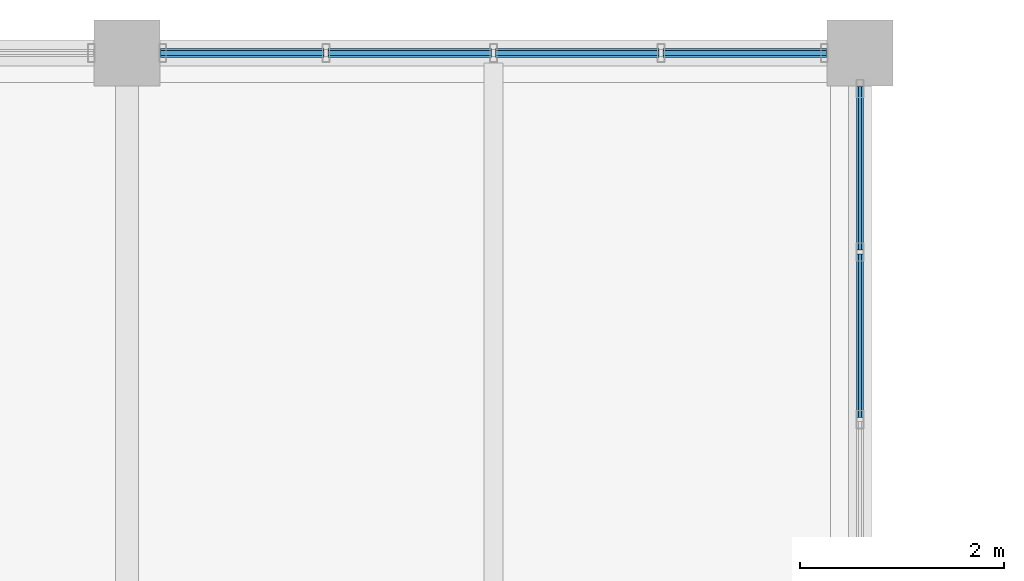
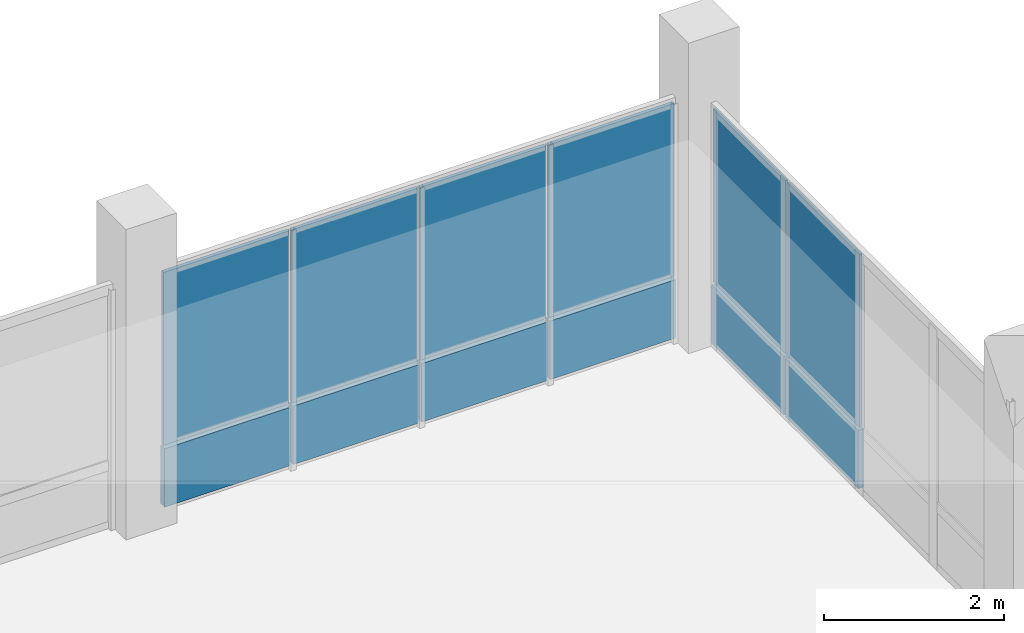
# One storey, part 97 of 144: 12 plates, 2 elements without a shape of their own.
"""IFC4 building model written with IfcOpenShell, lengths in metres."""

from ifc_helpers import new_model, si_unit, direction, frame, origin, origin_2d, place, context, subcontext, project, spatial, rectangle, extrude, material, layer, layer_set, type_object, element, aggregate, save


model = new_model("IFC4")

# Units and contexts
model_context = context("Model", 3, precision=1e-05, world=origin(), true_north=direction((0.0, 1.0)))
body_context = subcontext(model_context, "Body", "Model", "MODEL_VIEW")
ifc_project = project(units=[si_unit("LENGTHUNIT", "METRE"), si_unit("AREAUNIT", "SQUARE_METRE"), si_unit("VOLUMEUNIT", "CUBIC_METRE"), si_unit("PLANEANGLEUNIT", "RADIAN"), si_unit("MASSUNIT", "GRAM", prefix="KILO")], contexts=[model_context])

# Site, building, storey
site_placement = place(None, origin())
site = spatial("IfcSite", under=ifc_project, at=site_placement, CompositionType="ELEMENT")
building_placement = place(site_placement, origin())
building = spatial("IfcBuilding", under=site, at=building_placement, Name="Yarey Park Central Fire Station", CompositionType="ELEMENT")
storey_placement = place(building_placement, frame((0.0, 0.0, 10.199951171875)))
storey = spatial("IfcBuildingStorey", under=building, at=storey_placement, Name="L03", CompositionType="ELEMENT", Elevation=10.199951171875)

# Curtain wall, plates
ifc_material_1 = material(Name="Anodized Aluminium Frame", Category="aluminium")
curtain_wall_type = type_object("IfcCurtainWallType", Name="ENV_CW_HQ_L03", PredefinedType="NOTDEFINED", material=ifc_material_1)
curtain_wall_1_placement = place(storey_placement, origin())
curtain_wall_1 = element("IfcCurtainWall", 1, at=curtain_wall_1_placement, inside=storey, type_object=curtain_wall_type, Name="CW_L03_V4_E_108", PredefinedType="NOTDEFINED")
ifc_material_2 = material(Name="Insulated Aluminium Spandrel Panel", Category="aluminium")
ifc_layer_1 = layer(ifc_material_2, 0.068115234375)
ifc_layer_set_1 = layer_set([ifc_layer_1], Name="Insulated Aluminium Spandrel Panel")
plate_type_1 = type_object("IfcPlateType", Name="ENV_PNL_SPN_02", PredefinedType="CURTAIN_PANEL", material=ifc_layer_set_1)
plate_1_placement = place(storey_placement, frame((158.39990234375, 112.422607421875, 0.04248046875), z_axis=(0.0, 0.0, 1.0), x_axis=(0.0, 1.0, 0.0)))
plate_1 = element("IfcPlate", 2, at=plate_1_placement, type_object=plate_type_1, Name="CW_L03_V4_E_108_PNL05", PredefinedType="CURTAIN_PANEL", context=body_context, shape_type="SweptSolid", body=[
    extrude(rectangle(XDim=1.60498046875, YDim=0.068115234375, at=origin_2d()), origin(), (0.0, 0.0, 1.0), 0.7900390625),
])
plate_2_placement = place(storey_placement, frame((158.39990234375, 114.0673828125, 0.04248046875), z_axis=(0.0, 0.0, 1.0), x_axis=(0.0, 1.0, 0.0)))
plate_2 = element("IfcPlate", 3, at=plate_2_placement, type_object=plate_type_1, Name="CW_L03_V4_E_108_PNL07", PredefinedType="CURTAIN_PANEL", context=body_context, shape_type="SweptSolid", body=[
    extrude(rectangle(XDim=1.60498046875, YDim=0.068115234375, at=origin_2d()), origin(), (0.0, 0.0, 1.0), 0.7900390625),
])

curtain_wall_2_placement = place(storey_placement, origin())
curtain_wall_2 = element("IfcCurtainWall", 4, at=curtain_wall_2_placement, inside=storey, type_object=curtain_wall_type, Name="CW_L03_V4_N_6", PredefinedType="NOTDEFINED")
ifc_layer_2 = layer(ifc_material_2, 0.087890625)
ifc_layer_set_2 = layer_set([ifc_layer_2], Name="Insulated Aluminium Spandrel Panel")
plate_type_2 = type_object("IfcPlateType", Name="ENV_PNL_SPN_04", PredefinedType="CURTAIN_PANEL", material=ifc_layer_set_2)
plate_3_placement = place(storey_placement, frame((157.267578125, 115.199951171875, 0.04248046875), z_axis=(0.0, 0.0, 1.0), x_axis=(-1.0, 0.0, 0.0)))
plate_3 = element("IfcPlate", 5, at=plate_3_placement, type_object=plate_type_2, Name="CW_L03_V4_N_6_PNL01", PredefinedType="CURTAIN_PANEL", context=body_context, shape_type="SweptSolid", body=[
    extrude(rectangle(XDim=1.60498046875, YDim=0.087890625, at=origin_2d()), origin(), (0.0, 0.0, 1.0), 0.7900390625),
])
plate_4_placement = place(storey_placement, frame((155.62255859375, 115.199951171875, 0.04248046875), z_axis=(0.0, 0.0, 1.0), x_axis=(-1.0, 0.0, 0.0)))
plate_4 = element("IfcPlate", 6, at=plate_4_placement, type_object=plate_type_2, Name="CW_L03_V4_N_6_PNL03", PredefinedType="CURTAIN_PANEL", context=body_context, shape_type="SweptSolid", body=[
    extrude(rectangle(XDim=1.60498046875, YDim=0.087890625, at=origin_2d()), origin(), (0.0, 0.0, 1.0), 0.7900390625),
])
plate_5_placement = place(storey_placement, frame((153.9775390625, 115.199951171875, 0.04248046875), z_axis=(0.0, 0.0, 1.0), x_axis=(-1.0, 0.0, 0.0)))
plate_5 = element("IfcPlate", 7, at=plate_5_placement, type_object=plate_type_2, Name="CW_L03_V4_N_6_PNL05", PredefinedType="CURTAIN_PANEL", context=body_context, shape_type="SweptSolid", body=[
    extrude(rectangle(XDim=1.60498046875, YDim=0.087890625, at=origin_2d()), origin(), (0.0, 0.0, 1.0), 0.7900390625),
])
plate_6_placement = place(storey_placement, frame((152.33251953125, 115.199951171875, 0.04248046875), z_axis=(0.0, 0.0, 1.0), x_axis=(-1.0, 0.0, 0.0)))
plate_6 = element("IfcPlate", 8, at=plate_6_placement, type_object=plate_type_2, Name="CW_L03_V4_N_6_PNL07", PredefinedType="CURTAIN_PANEL", context=body_context, shape_type="SweptSolid", body=[
    extrude(rectangle(XDim=1.60498046875, YDim=0.087890625, at=origin_2d()), origin(), (0.0, 0.0, 1.0), 0.7900390625),
])

# Plate
ifc_material_3 = material(Name="Laminated Hurricane Low-E Glass", Category="glass")
ifc_layer_3 = layer(ifc_material_3, 0.031982421875)
ifc_layer_set_3 = layer_set([ifc_layer_3], Name="Laminated Hurricane Low-E Glass")
plate_type_3 = type_object("IfcPlateType", Name="ENV_PNL_VIS_02", PredefinedType="CURTAIN_PANEL", material=ifc_layer_set_3)
plate_7_placement = place(storey_placement, frame((158.39990234375, 112.422607421875, 0.86767578125), z_axis=(0.0, 0.0, 1.0), x_axis=(0.0, 1.0, 0.0)))
plate_7 = element("IfcPlate", 9, at=plate_7_placement, type_object=plate_type_3, Name="CW_L03_V4_E_108_PNL06", PredefinedType="CURTAIN_PANEL", context=body_context, shape_type="SweptSolid", body=[
    extrude(rectangle(XDim=1.60498046875, YDim=0.031982421875, at=origin_2d()), origin(), (0.0, 0.0, 1.0), 2.340087890625),
])

plate_8_placement = place(storey_placement, frame((158.39990234375, 114.0673828125, 0.86767578125), z_axis=(0.0, 0.0, 1.0), x_axis=(0.0, 1.0, 0.0)))
plate_8 = element("IfcPlate", 10, at=plate_8_placement, type_object=plate_type_3, Name="CW_L03_V4_E_108_PNL08", PredefinedType="CURTAIN_PANEL", context=body_context, shape_type="SweptSolid", body=[
    extrude(rectangle(XDim=1.60498046875, YDim=0.031982421875, at=origin_2d()), origin(), (0.0, 0.0, 1.0), 2.340087890625),
])

aggregate(curtain_wall_1, [plate_1, plate_7, plate_2, plate_8])

ifc_layer_4 = layer(ifc_material_3, 0.0458984375)
ifc_layer_set_4 = layer_set([ifc_layer_4], Name="Laminated Hurricane Low-E Glass")
plate_type_4 = type_object("IfcPlateType", Name="ENV_PNL_VIS_04", PredefinedType="CURTAIN_PANEL", material=ifc_layer_set_4)
plate_9_placement = place(storey_placement, frame((157.267578125, 115.199951171875, 0.86767578125), z_axis=(0.0, 0.0, 1.0), x_axis=(-1.0, 0.0, 0.0)))
plate_9 = element("IfcPlate", 11, at=plate_9_placement, type_object=plate_type_4, Name="CW_L03_V4_N_6_PNL02", PredefinedType="CURTAIN_PANEL", context=body_context, shape_type="SweptSolid", body=[
    extrude(rectangle(XDim=1.60498046875, YDim=0.0458984375, at=origin_2d()), origin(), (0.0, 0.0, 1.0), 2.340087890625),
])

plate_10_placement = place(storey_placement, frame((155.62255859375, 115.199951171875, 0.86767578125), z_axis=(0.0, 0.0, 1.0), x_axis=(-1.0, 0.0, 0.0)))
plate_10 = element("IfcPlate", 12, at=plate_10_placement, type_object=plate_type_4, Name="CW_L03_V4_N_6_PNL04", PredefinedType="CURTAIN_PANEL", context=body_context, shape_type="SweptSolid", body=[
    extrude(rectangle(XDim=1.60498046875, YDim=0.0458984375, at=origin_2d()), origin(), (0.0, 0.0, 1.0), 2.340087890625),
])

plate_11_placement = place(storey_placement, frame((153.9775390625, 115.199951171875, 0.86767578125), z_axis=(0.0, 0.0, 1.0), x_axis=(-1.0, 0.0, 0.0)))
plate_11 = element("IfcPlate", 13, at=plate_11_placement, type_object=plate_type_4, Name="CW_L03_V4_N_6_PNL06", PredefinedType="CURTAIN_PANEL", context=body_context, shape_type="SweptSolid", body=[
    extrude(rectangle(XDim=1.60498046875, YDim=0.0458984375, at=origin_2d()), origin(), (0.0, 0.0, 1.0), 2.340087890625),
])

plate_12_placement = place(storey_placement, frame((152.33251953125, 115.199951171875, 0.86767578125), z_axis=(0.0, 0.0, 1.0), x_axis=(-1.0, 0.0, 0.0)))
plate_12 = element("IfcPlate", 14, at=plate_12_placement, type_object=plate_type_4, Name="CW_L03_V4_N_6_PNL08", PredefinedType="CURTAIN_PANEL", context=body_context, shape_type="SweptSolid", body=[
    extrude(rectangle(XDim=1.60498046875, YDim=0.0458984375, at=origin_2d()), origin(), (0.0, 0.0, 1.0), 2.340087890625),
])

aggregate(curtain_wall_2, [plate_3, plate_9, plate_4, plate_10, plate_5, plate_11, plate_6, plate_12])

save(model, "model.ifc")
